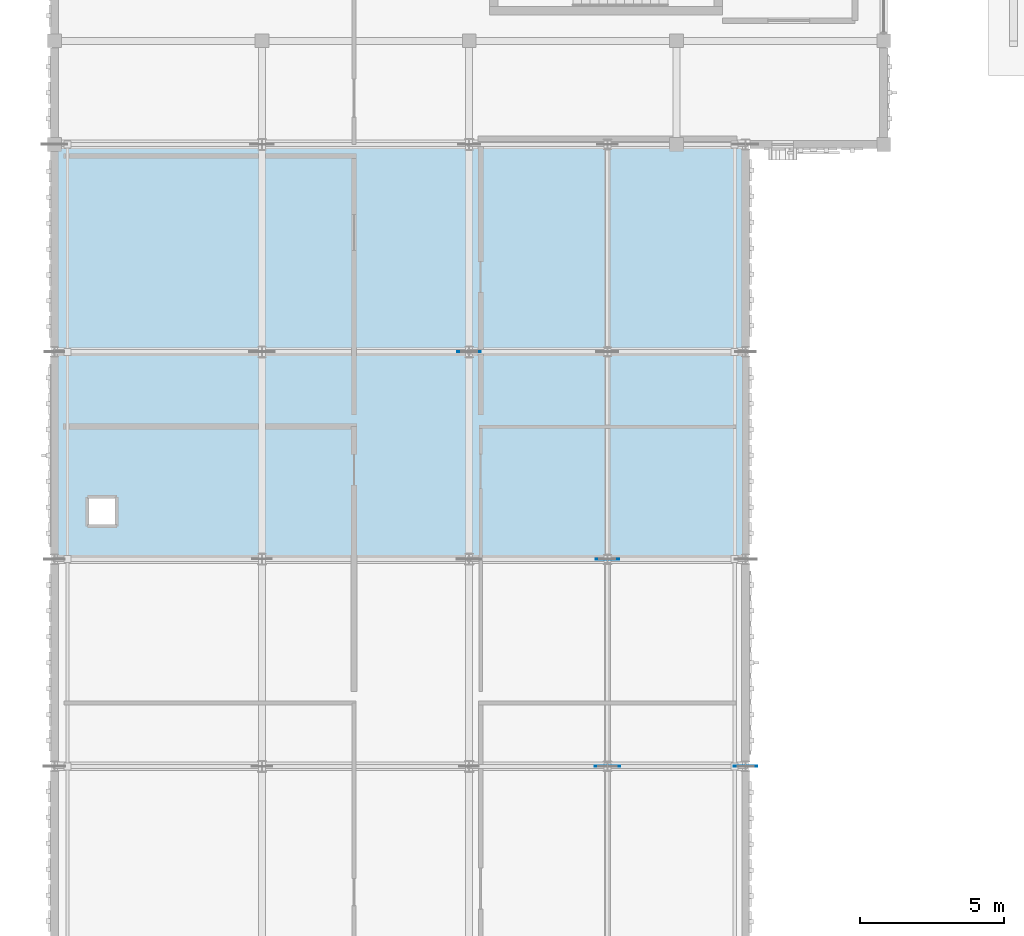
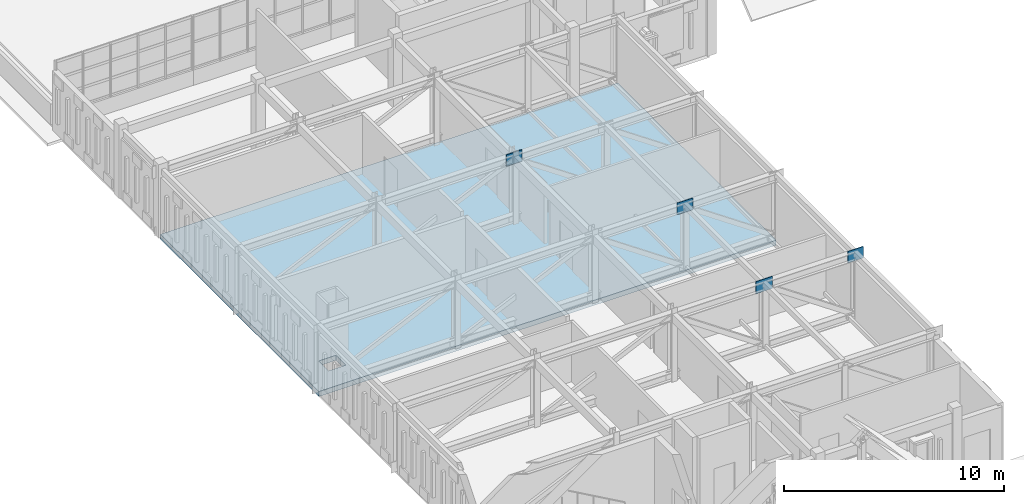
# One storey, part 33 of 79: 4 plates, 1 slab.
"""IFC4 building model written with IfcOpenShell, lengths in metres."""

from ifc_helpers import new_model, si_unit, direction, frame, origin, origin_2d, place, context, subcontext, project, spatial, polyline, rectangle, outline, extrude, material, layer, layer_set, type_object, element, save


model = new_model("IFC4")

# Units and contexts
model_context = context("Model", 3, precision=1e-05, world=origin(), true_north=direction((0.0, 1.0)))
body_context = subcontext(model_context, "Body", "Model", "MODEL_VIEW")
ifc_project = project(units=[si_unit("LENGTHUNIT", "METRE"), si_unit("AREAUNIT", "SQUARE_METRE"), si_unit("VOLUMEUNIT", "CUBIC_METRE"), si_unit("PLANEANGLEUNIT", "RADIAN"), si_unit("MASSUNIT", "GRAM", prefix="KILO")], contexts=[model_context])

# Site, building, storey
site_placement = place(None, origin())
site = spatial("IfcSite", under=ifc_project, at=site_placement, CompositionType="ELEMENT")
building_placement = place(site_placement, origin())
building = spatial("IfcBuilding", under=site, at=building_placement, Name="Nzembalo Square Collegiate School", CompositionType="ELEMENT")
storey_placement = place(building_placement, frame((0.0, 0.0, 9.52001953125)))
storey = spatial("IfcBuildingStorey", under=building, at=storey_placement, Name="L02", CompositionType="ELEMENT", Elevation=9.52001953125)

# Plates
ifc_material_1 = material(Name="Steel S355", Category="steel")
ifc_layer_1 = layer(ifc_material_1, 0.033935546875, Name="Steel S355")
ifc_layer_set_1 = layer_set([ifc_layer_1], Name="Steel S355")
plate_type_1 = type_object("IfcPlateType", Name="KN01", PredefinedType="SHEET", material=ifc_layer_set_1)
plate_placement = place(storey_placement, frame((27.60009765625, 57.60009765625, 3.22021484375), z_axis=(0.0, 0.0, 1.0), x_axis=(1.0, 0.0, 0.0)))
element("IfcPlate", 1, at=plate_placement, inside=storey, type_object=plate_type_1, Name="TT-4A-02 transfer gusset plate KN01", PredefinedType="SHEET", context=body_context, shape_type="SweptSolid", body=[
    extrude(rectangle(XDim=0.8798828125, YDim=0.033935546875, at=origin_2d()), origin(), (0.0, 0.0, 1.0), 0.679931640625),
])
ifc_material_2 = material(Name="Steel S355", Category="steel")
ifc_layer_2 = layer(ifc_material_2, 0.031982421875, Name="Steel S355")
ifc_layer_set_2 = layer_set([ifc_layer_2], Name="Steel S355")
plate_type_2 = type_object("IfcPlateType", Name="KN02", PredefinedType="SHEET", material=ifc_layer_set_2)
for number, where, z_axis, x_axis, name in (
    (2, (32.39990234375, 57.60009765625, 3.240234375), (0.0, 0.0, 1.0), (1.0, 0.0, 0.0), "TT-4A-02 transfer gusset plate KN02"),
    (3, (27.60009765625, 64.800048828125, 3.240234375), (0.0, 0.0, 1.0), (1.0, 0.0, 0.0), "TT-4A-03 transfer gusset plate KN02"),
    (4, (22.800048828125, 72.0, 3.240234375), (0.0, 0.0, 1.0), (1.0, 0.0, 0.0), "TT-4A-04 transfer gusset plate KN02"),
):
    element("IfcPlate", number, at=place(storey_placement, frame(where, z_axis=z_axis, x_axis=x_axis)), inside=storey, type_object=plate_type_2, Name=name, PredefinedType="SHEET", context=body_context, shape_type="SweptSolid", body=[
        extrude(rectangle(XDim=0.820068359375, YDim=0.031982421875, at=origin_2d()), origin(), (0.0, 0.0, 1.0), 0.639892578125),
    ])

# Slab
ifc_material_3 = material(Name="CLT CL24", Category="wood")
ifc_layer_3 = layer(ifc_material_3, 0.278076171875, Name="CLT CL24")
ifc_layer_set_3 = layer_set([ifc_layer_3], Name="CLT CL24")
slab_type = type_object("IfcSlabType", Name="SL-02", PredefinedType="FLOOR", material=ifc_layer_set_3)
slab_placement = place(storey_placement, frame((0.0, 0.0, -0.278076171875)))
element("IfcSlab", 5, at=slab_placement, inside=storey, type_object=slab_type, Name="Slab SL-L02-54", PredefinedType="FLOOR", context=body_context, shape_type="SweptSolid", body=[
    extrude(outline(polyline([(8.39990234375, 64.800048828125), (32.39990234375, 64.800048828125), (32.39990234375, 79.199951171875), (8.39990234375, 79.199951171875), (8.39990234375, 64.800048828125)]), holes=[polyline([(9.60009765625, 66.0), (10.5, 66.0), (10.5, 66.89990234375), (9.60009765625, 66.89990234375), (9.60009765625, 66.0)])]), origin(), (0.0, 0.0, 1.0), 0.278076171875),
])

save(model, "model.ifc")
